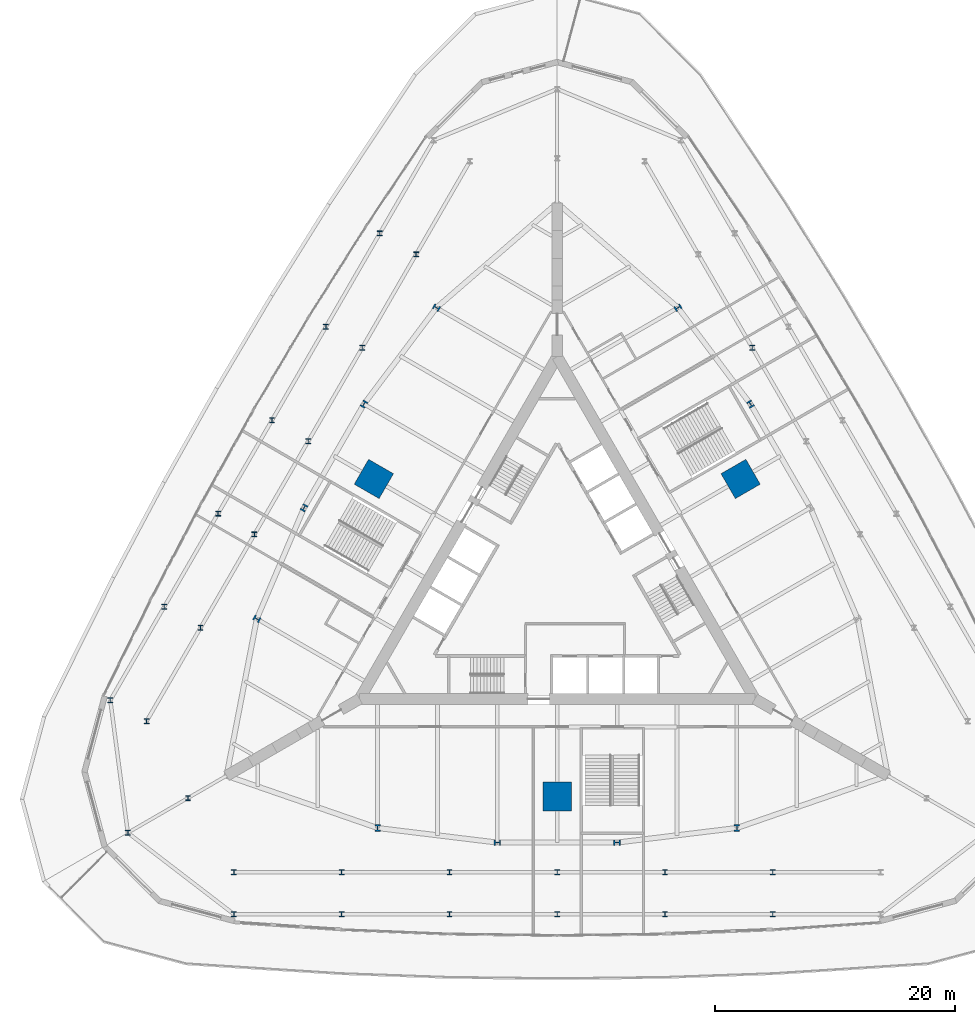
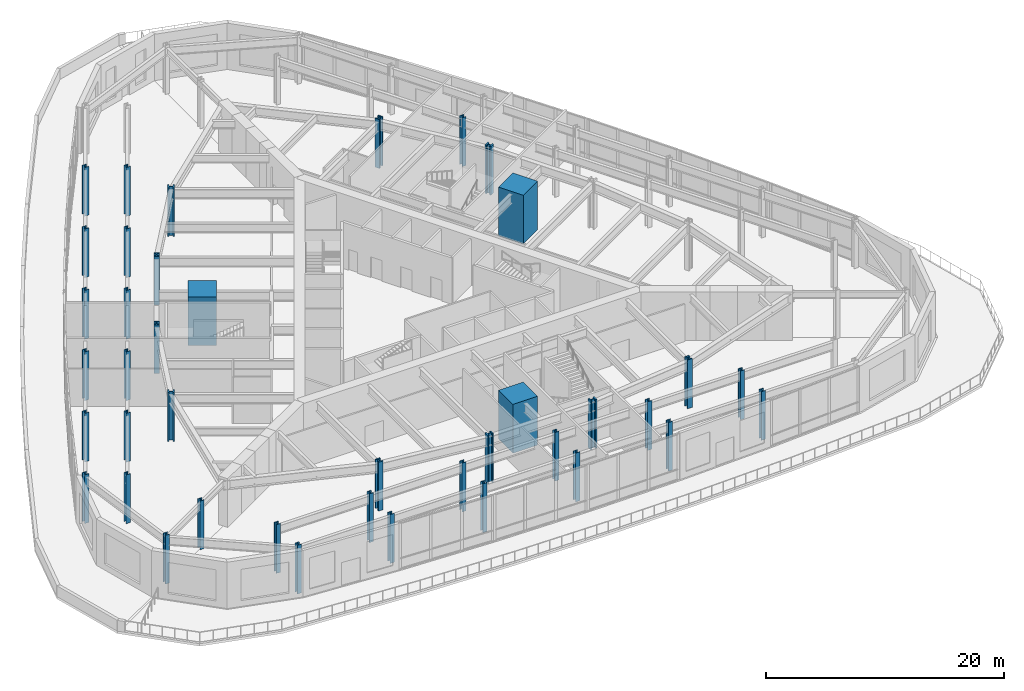
# One storey, part 1 of 20: 40 columns.
"""IFC4 building model written with IfcOpenShell, lengths in metres."""

from ifc_helpers import new_model, si_unit, direction, frame, origin, origin_2d, place, context, subcontext, project, spatial, rectangle, i_section, extrude, material, material_profile, profile_set, type_object, element, save


model = new_model("IFC4")

# Units and contexts
model_context = context("Model", 3, precision=1e-05, world=origin(), true_north=direction((0.0, 1.0)))
body_context = subcontext(model_context, "Body", "Model", "MODEL_VIEW")
ifc_project = project(units=[si_unit("LENGTHUNIT", "METRE"), si_unit("AREAUNIT", "SQUARE_METRE"), si_unit("VOLUMEUNIT", "CUBIC_METRE"), si_unit("PLANEANGLEUNIT", "RADIAN"), si_unit("MASSUNIT", "GRAM", prefix="KILO")], contexts=[model_context])

# Site, building, storey
site_placement = place(None, origin())
site = spatial("IfcSite", under=ifc_project, at=site_placement, CompositionType="ELEMENT")
building_placement = place(site_placement, origin())
building = spatial("IfcBuilding", under=site, at=building_placement, Name="Trikona Tower", CompositionType="ELEMENT")
storey_placement = place(building_placement, frame((0.0, 0.0, 6.0)))
storey = spatial("IfcBuildingStorey", under=building, at=storey_placement, Name="L01", CompositionType="ELEMENT", Elevation=6.0)

# Columns
ifc_material_1 = material(Name="Concrete f'c 10000 psi with encased steel section", Category="concrete")
ifc_material_profile_1 = material_profile(ifc_material_1, rectangle(XDim=2.39990234375, YDim=2.39990234375, at=origin_2d()), Name="MC2400")
ifc_profile_set_1 = profile_set([ifc_material_profile_1], Name="Concrete f'c 10000 psi with encased steel section")
column_type_1 = type_object("IfcColumnType", Name="Composite mega column 2400x2400", PredefinedType="COLUMN", material=ifc_profile_set_1)
for number, where, z_axis, x_axis, name in (
    (1, (0.0, -17.680419921875, 0.0), (0.0, 0.0, 1.0), (0.0, -1.0, 0.0), "Mega column MC1"),
    (2, (15.311767578125, 8.84033203125, 0.0), (0.0, 0.0, 1.0), (0.866025403784, 0.5, 0.0), "Mega column MC2"),
    (3, (-15.311767578125, 8.84033203125, 0.0), (0.0, 0.0, 1.0), (-0.866025403784, 0.5, 0.0), "Mega column MC3"),
):
    element("IfcColumn", number, at=place(storey_placement, frame(where, z_axis=z_axis, x_axis=x_axis)), inside=storey, type_object=column_type_1, Name=name, PredefinedType="COLUMN", context=body_context, shape_type="SweptSolid", body=[
        extrude(rectangle(XDim=2.39990234375, YDim=2.39990234375, at=origin_2d()), origin(), (0.0, 0.0, 1.0), 5.0),
    ])
ifc_material_2 = material(Name="Steel ASTM A992 Grade 50", Category="steel")
ifc_material_profile_2 = material_profile(ifc_material_2, i_section(OverallWidth=0.406494140625, OverallDepth=0.41650390625, WebThickness=0.030029296875, FlangeThickness=0.048095703125, at=origin_2d()), Name="W14X257")
ifc_profile_set_2 = profile_set([ifc_material_profile_2], Name="Steel ASTM A992 Grade 50")
column_type_2 = type_object("IfcColumnType", Name="Steel column W14x257", PredefinedType="COLUMN", material=ifc_profile_set_2)
for number, where, z_axis, x_axis, name in (
    (4, (-30.83056640625, -17.800048828125, 0.0), (0.0, 0.0, 1.0), (1.0, 0.0, 0.0), "Column K2D35.6"),
    (5, (-35.853515625, -20.699951171875, 0.0), (0.0, 0.0, 1.0), (1.0, 0.0, 0.0), "Column K2D41.4"),
    (6, (-18.0, -24.0, 0.0), (0.0, 0.0, 1.0), (1.0, 0.0, 0.0), "Column R24F0m18"),
    (7, (-27.0, -24.0, 0.0), (0.0, 0.0, 1.0), (1.0, 0.0, 0.0), "Column R24F0m27"),
    (8, (-9.0, -24.0, 0.0), (0.0, 0.0, 1.0), (1.0, 0.0, 0.0), "Column R24F0m9"),
    (9, (0.0, -24.0, 0.0), (0.0, 0.0, 1.0), (1.0, 0.0, 0.0), "Column R24F0p0"),
    (10, (18.0, -24.0, 0.0), (0.0, 0.0, 1.0), (1.0, 0.0, 0.0), "Column R24F0p18"),
    (11, (9.0, -24.0, 0.0), (0.0, 0.0, 1.0), (1.0, 0.0, 0.0), "Column R24F0p9"),
    (12, (16.28466796875, 19.794189453125, 0.0), (0.0, 0.0, 1.0), (1.0, 0.0, 0.0), "Column R24F1p9"),
    (13, (-11.78466796875, 27.58837890625, 0.0), (0.0, 0.0, 1.0), (1.0, 0.0, 0.0), "Column R24F2m18"),
    (14, (-16.28466796875, 19.794189453125, 0.0), (0.0, 0.0, 1.0), (1.0, 0.0, 0.0), "Column R24F2m9"),
    (15, (-20.78466796875, 12.0, 0.0), (0.0, 0.0, 1.0), (1.0, 0.0, 0.0), "Column R24F2p0"),
    (16, (-29.78466796875, -3.58837890625, 0.0), (0.0, 0.0, 1.0), (1.0, 0.0, 0.0), "Column R24F2p18"),
    (17, (-34.28466796875, -11.3828125, 0.0), (0.0, 0.0, 1.0), (1.0, 0.0, 0.0), "Column R24F2p27"),
    (18, (-25.28466796875, 4.205810546875, 0.0), (0.0, 0.0, 1.0), (1.0, 0.0, 0.0), "Column R24F2p9"),
    (19, (-18.0, -27.5, 0.0), (0.0, 0.0, 1.0), (1.0, 0.0, 0.0), "Column R27.5F0m18"),
    (20, (-27.0, -27.5, 0.0), (0.0, 0.0, 1.0), (1.0, 0.0, 0.0), "Column R27.5F0m27"),
    (21, (-9.0, -27.5, 0.0), (0.0, 0.0, 1.0), (1.0, 0.0, 0.0), "Column R27.5F0m9"),
    (22, (0.0, -27.5, 0.0), (0.0, 0.0, 1.0), (1.0, 0.0, 0.0), "Column R27.5F0p0"),
    (23, (18.0, -27.5, 0.0), (0.0, 0.0, 1.0), (1.0, 0.0, 0.0), "Column R27.5F0p18"),
    (24, (9.0, -27.5, 0.0), (0.0, 0.0, 1.0), (1.0, 0.0, 0.0), "Column R27.5F0p9"),
    (25, (-14.815673828125, 29.33837890625, 0.0), (0.0, 0.0, 1.0), (1.0, 0.0, 0.0), "Column R27.5F2m18"),
    (26, (-19.315673828125, 21.544189453125, 0.0), (0.0, 0.0, 1.0), (1.0, 0.0, 0.0), "Column R27.5F2m9"),
    (27, (-23.815673828125, 13.75, 0.0), (0.0, 0.0, 1.0), (1.0, 0.0, 0.0), "Column R27.5F2p0"),
    (28, (-32.815673828125, -1.83837890625, 0.0), (0.0, 0.0, 1.0), (1.0, 0.0, 0.0), "Column R27.5F2p18"),
    (29, (-37.315673828125, -9.6328125, 0.0), (0.0, 0.0, 1.0), (1.0, 0.0, 0.0), "Column R27.5F2p27"),
    (30, (-28.315673828125, 5.955810546875, 0.0), (0.0, 0.0, 1.0), (1.0, 0.0, 0.0), "Column R27.5F2p9"),
):
    element("IfcColumn", number, at=place(storey_placement, frame(where, z_axis=z_axis, x_axis=x_axis)), inside=storey, type_object=column_type_2, Name=name, PredefinedType="COLUMN", context=body_context, shape_type="SweptSolid", body=[
        extrude(i_section(OverallWidth=0.406494140625, OverallDepth=0.41650390625, WebThickness=0.030029296875, FlangeThickness=0.048095703125, at=origin_2d()), origin(), (0.0, 0.0, 1.0), 5.0),
    ])
ifc_material_3 = material(Name="Steel ASTM A992 Grade 50", Category="steel")
ifc_material_profile_3 = material_profile(ifc_material_3, i_section(OverallWidth=0.45458984375, OverallDepth=0.56884765625, WebThickness=0.077880859375, FlangeThickness=0.124755859375, at=origin_2d()), Name="W14X730")
ifc_profile_set_3 = profile_set([ifc_material_profile_3], Name="Steel ASTM A992 Grade 50")
column_type_3 = type_object("IfcColumnType", Name="Steel column W14x730", PredefinedType="COLUMN", material=ifc_profile_set_3)
for number, where, z_axis, x_axis, name in (
    (31, (-15.0, -20.302978515625, 0.0), (0.0, 0.0, 1.0), (1.0, 0.0, 0.0), "Column F0m15"),
    (32, (-5.0, -21.5205078125, 0.0), (0.0, 0.0, 1.0), (0.0, -1.0, 0.0), "Column F0m5"),
    (33, (5.0, -21.5205078125, 0.0), (0.0, 0.0, 1.0), (0.0, -1.0, 0.0), "Column F0p5"),
    (34, (15.0, -20.302978515625, 0.0), (0.0, 0.0, 1.0), (1.0, 0.0, 0.0), "Column F0p15"),
    (35, (16.13720703125, 15.09033203125, 0.0), (0.0, 0.0, 1.0), (0.866025403784, 0.5, 0.0), "Column F1p5"),
    (36, (10.0830078125, 23.141845703125, 0.0), (0.0, 0.0, 1.0), (-0.5, 0.866025403784, 0.0), "Column F1p15"),
    (37, (-10.0830078125, 23.141845703125, 0.0), (0.0, 0.0, 1.0), (-0.5, -0.866025403784, 0.0), "Column F2m15"),
    (38, (-16.13720703125, 15.09033203125, 0.0), (0.0, 0.0, 1.0), (-0.866025403784, 0.5, 0.0), "Column F2m5"),
    (39, (-21.13720703125, 6.43017578125, 0.0), (0.0, 0.0, 1.0), (-0.866025403784, 0.5, 0.0), "Column F2p5"),
    (40, (-25.0830078125, -2.8388671875, 0.0), (0.0, 0.0, 1.0), (-0.5, -0.866025403784, 0.0), "Column F2p15"),
):
    element("IfcColumn", number, at=place(storey_placement, frame(where, z_axis=z_axis, x_axis=x_axis)), inside=storey, type_object=column_type_3, Name=name, PredefinedType="COLUMN", context=body_context, shape_type="SweptSolid", body=[
        extrude(i_section(OverallWidth=0.45458984375, OverallDepth=0.56884765625, WebThickness=0.077880859375, FlangeThickness=0.124755859375, at=origin_2d()), origin(), (0.0, 0.0, 1.0), 5.0),
    ])

save(model, "model.ifc")
